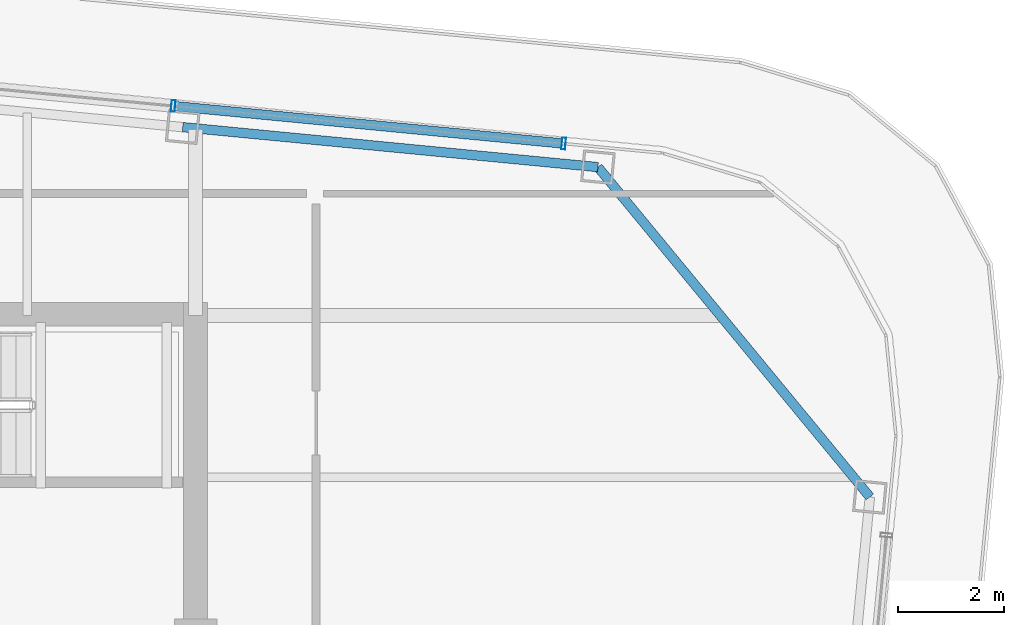
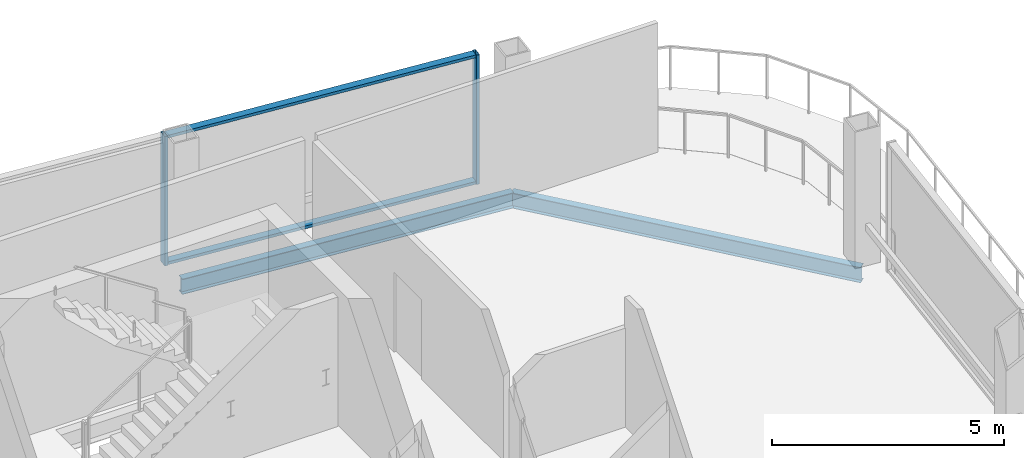
# One storey, part 15 of 23: 4 members, 2 beams, 1 element without a shape of its own.
"""IFC4 building model written with IfcOpenShell, lengths in metres."""

from ifc_helpers import new_model, si_unit, direction, frame, origin, origin_2d, place, context, subcontext, project, spatial, hollow_rectangle, i_section, extrude, material, layer, layer_set, material_profile, profile_set, type_object, element, aggregate, save


model = new_model("IFC4")

# Units and contexts
model_context = context("Model", 3, precision=1e-05, world=origin(), true_north=direction((0.0, 1.0)))
body_context = subcontext(model_context, "Body", "Model", "MODEL_VIEW")
ifc_project = project(units=[si_unit("LENGTHUNIT", "METRE"), si_unit("AREAUNIT", "SQUARE_METRE"), si_unit("VOLUMEUNIT", "CUBIC_METRE"), si_unit("PLANEANGLEUNIT", "RADIAN"), si_unit("MASSUNIT", "GRAM", prefix="KILO")], contexts=[model_context])

# Site, building, storey
site_placement = place(None, origin())
site = spatial("IfcSite", under=ifc_project, at=site_placement, CompositionType="ELEMENT")
building_placement = place(site_placement, origin())
building = spatial("IfcBuilding", under=site, at=building_placement, Name="Qhalaya Broadcast Tower", CompositionType="ELEMENT")
storey_placement = place(building_placement, frame((0.0, 0.0, 276.949951171875)))
storey = spatial("IfcBuildingStorey", under=building, at=storey_placement, Name="L82", CompositionType="ELEMENT", Elevation=276.949951171875)

# Curtain wall, members
ifc_material_1 = material(Name="Solar-Control Low-E Triple Glazing", Category="glass")
ifc_layer = layer(ifc_material_1, 0.219970703125, Name="Solar-Control Low-E Triple Glazing")
ifc_layer_set = layer_set([ifc_layer], Name="Solar-Control Low-E Triple Glazing")
curtain_wall_type = type_object("IfcCurtainWallType", Name="Crown Garden & Observation Windscreen Curtain Wall CW-06", PredefinedType="NOTDEFINED", material=ifc_layer_set)
curtain_wall_placement = place(storey_placement, origin())
curtain_wall = element("IfcCurtainWall", 1, at=curtain_wall_placement, inside=storey, type_object=curtain_wall_type, Name="L82 Unitised Curtain Wall L82-CW-N", PredefinedType="NOTDEFINED")
ifc_material_2 = material(Name="Anodised Aluminium 6063-T6", Category="aluminium")
ifc_material_profile_1 = material_profile(ifc_material_2, hollow_rectangle(XDim=0.074951171875, YDim=0.219970703125, WallThickness=0.00390625, at=origin_2d()), Name="ALU-MUL 75x220x4")
ifc_profile_set_1 = profile_set([ifc_material_profile_1], Name="Anodised Aluminium 6063-T6")
member_type_1 = type_object("IfcMemberType", Name="Unitised Curtain-Wall Mullion M01", PredefinedType="MULLION", material=ifc_profile_set_1)
member_1_placement = place(storey_placement, frame((16.315185546875, 13.192626953125, 0.0), z_axis=(0.0, 0.0, 1.0), x_axis=(-0.995396013928, 0.095847667974, 0.0)))
member_1 = element("IfcMember", 2, at=member_1_placement, type_object=member_type_1, Name="CW-06 mullion 1", PredefinedType="MULLION", context=body_context, shape_type="SweptSolid", body=[
    extrude(hollow_rectangle(XDim=0.074951171875, YDim=0.219970703125, WallThickness=0.00390625, at=origin_2d()), origin(), (0.0, 0.0, 1.0), 3.41015625),
])
member_2_placement = place(storey_placement, frame((8.953369140625, 13.9013671875, 0.0), z_axis=(0.0, 0.0, 1.0), x_axis=(-0.995396013928, 0.095847667974, 0.0)))
member_2 = element("IfcMember", 3, at=member_2_placement, type_object=member_type_1, Name="CW-06 mullion 2", PredefinedType="MULLION", context=body_context, shape_type="SweptSolid", body=[
    extrude(hollow_rectangle(XDim=0.074951171875, YDim=0.219970703125, WallThickness=0.00390625, at=origin_2d()), origin(), (0.0, 0.0, 1.0), 3.41015625),
])
ifc_material_profile_2 = material_profile(ifc_material_2, hollow_rectangle(XDim=0.074951171875, YDim=0.179931640625, WallThickness=0.00390625, at=origin_2d()), Name="ALU-TRN 75x180x4")
ifc_profile_set_2 = profile_set([ifc_material_profile_2], Name="Anodised Aluminium 6063-T6")
member_type_2 = type_object("IfcMemberType", Name="Unitised Curtain-Wall Transom T01", PredefinedType="USERDEFINED", material=ifc_profile_set_2)
member_3_placement = place(storey_placement, frame((16.27783203125, 13.1962890625, 0.03759765625), z_axis=(-0.995396311348, 0.095844579162, 0.0), x_axis=(0.0, 0.0, 1.0)))
member_3 = element("IfcMember", 4, at=member_3_placement, type_object=member_type_2, Name="CW-06 transom 1.1", ObjectType="TRANSOM", PredefinedType="USERDEFINED", context=body_context, shape_type="SweptSolid", body=[
    extrude(hollow_rectangle(XDim=0.074951171875, YDim=0.179931640625, WallThickness=0.00390625, at=origin_2d()), origin(), (0.0, 0.0, 1.0), 7.32080078125),
])
member_4_placement = place(storey_placement, frame((16.27783203125, 13.1962890625, 3.37255859375), z_axis=(-0.995396311348, 0.095844579162, 0.0), x_axis=(0.0, 0.0, 1.0)))
member_4 = element("IfcMember", 5, at=member_4_placement, type_object=member_type_2, Name="CW-06 transom 1.2", ObjectType="TRANSOM", PredefinedType="USERDEFINED", context=body_context, shape_type="SweptSolid", body=[
    extrude(hollow_rectangle(XDim=0.074951171875, YDim=0.179931640625, WallThickness=0.00390625, at=origin_2d()), origin(), (0.0, 0.0, 1.0), 7.32080078125),
])
aggregate(curtain_wall, [member_1, member_2, member_3, member_4])

# Beams
ifc_material_3 = material(Name="Structural Steel ASTM A992 Grade 50", Category="steel")
ifc_material_profile_3 = material_profile(ifc_material_3, i_section(OverallWidth=0.177978515625, OverallDepth=0.406005859375, WebThickness=0.0078125, FlangeThickness=0.0126953125, at=origin_2d()), Name="W16X40")
ifc_profile_set_3 = profile_set([ifc_material_profile_3], Name="Structural Steel ASTM A992 Grade 50")
beam_type = type_object("IfcBeamType", Name="Upper Perimeter Spandrel Beam SP2", PredefinedType="SPANDREL", material=ifc_profile_set_3)
beam_1_placement = place(storey_placement, frame((22.09033203125, 6.5283203125, -0.39306640625), z_axis=(-0.636070241972, 0.771631160126, 0.0), x_axis=(-0.771631160126, -0.636070241972, 0.0)))
element("IfcBeam", 6, at=beam_1_placement, inside=storey, type_object=beam_type, Name="L82 SP2 L82-SPR-08", PredefinedType="SPANDREL", context=body_context, shape_type="SweptSolid", body=[
    extrude(i_section(OverallWidth=0.177978515625, OverallDepth=0.406005859375, WebThickness=0.0078125, FlangeThickness=0.0126953125, at=origin_2d()), origin(), (0.0, 0.0, 1.0), 8.06103515625),
])
beam_2_placement = place(storey_placement, frame((16.962890625, 12.74853515625, -0.39306640625), z_axis=(-0.995397023367, 0.095837184179, 0.0), x_axis=(-0.095837184179, -0.995397023367, 0.0)))
element("IfcBeam", 7, at=beam_2_placement, inside=storey, type_object=beam_type, Name="L82 SP2 L82-SPR-09", PredefinedType="SPANDREL", context=body_context, shape_type="SweptSolid", body=[
    extrude(i_section(OverallWidth=0.177978515625, OverallDepth=0.406005859375, WebThickness=0.0078125, FlangeThickness=0.0126953125, at=origin_2d()), origin(), (0.0, 0.0, 1.0), 7.866455078125),
])

save(model, "model.ifc")
